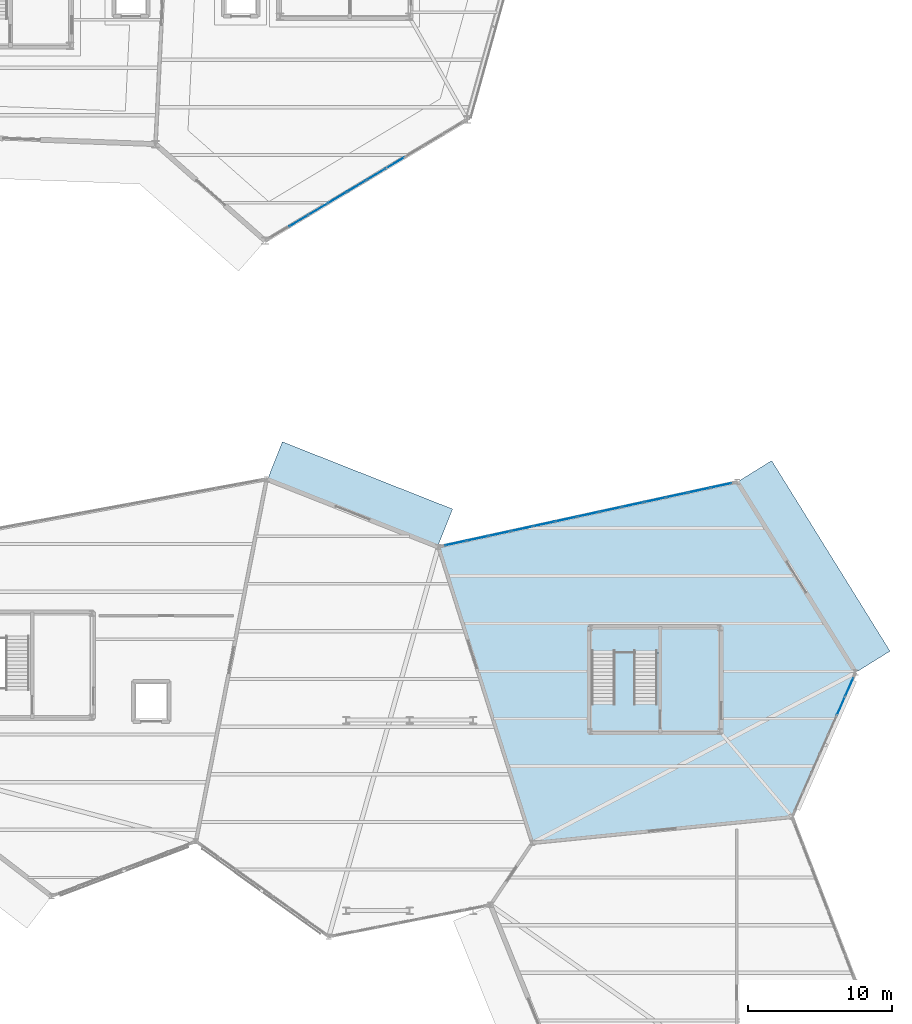
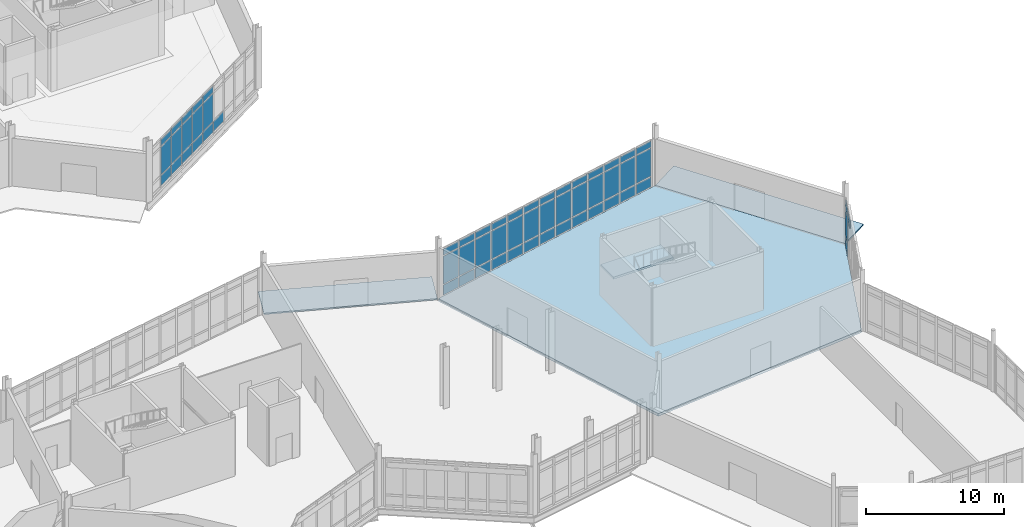
# One storey, part 81 of 113: 59 plates, 4 slabs, 4 elements without a shape of their own.
"""IFC4 building model written with IfcOpenShell, lengths in metres."""

from ifc_helpers import new_model, si_unit, direction, frame, origin, origin_2d, place, context, subcontext, project, spatial, polyline, rectangle, outline, extrude, material, layer, layer_set, type_object, element, aggregate, save


model = new_model("IFC4")

# Units and contexts
model_context = context("Model", 3, precision=1e-05, world=origin(), true_north=direction((0.0, 1.0)))
body_context = subcontext(model_context, "Body", "Model", "MODEL_VIEW")
ifc_project = project(units=[si_unit("LENGTHUNIT", "METRE"), si_unit("AREAUNIT", "SQUARE_METRE"), si_unit("VOLUMEUNIT", "CUBIC_METRE"), si_unit("PLANEANGLEUNIT", "RADIAN"), si_unit("MASSUNIT", "GRAM", prefix="KILO")], contexts=[model_context])

# Site, building, storey
site_placement = place(None, origin())
site = spatial("IfcSite", under=ifc_project, at=site_placement, CompositionType="ELEMENT")
building_placement = place(site_placement, origin())
building = spatial("IfcBuilding", under=site, at=building_placement, Name="Tameran Prism Museum", CompositionType="ELEMENT")
storey_placement = place(building_placement, origin())
storey = spatial("IfcBuildingStorey", under=building, at=storey_placement, Name="L00", CompositionType="ELEMENT", Elevation=0.0)

# Curtain wall, plates
ifc_material_1 = material(Name="Anodised Aluminium 6063-T6 and Cyclone Solar Glass", Category="aluminium")
curtain_wall_type_1 = type_object("IfcCurtainWallType", Name="CW-FAC-1563x422", PredefinedType="USERDEFINED", material=ifc_material_1)
curtain_wall_1_placement = place(storey_placement, origin())
curtain_wall_1 = element("IfcCurtainWall", 1, at=curtain_wall_1_placement, inside=storey, type_object=curtain_wall_type_1, Name="Unitised Curtain Wall CW-022", ObjectType="UNITISED CURTAIN WALL", PredefinedType="USERDEFINED")
ifc_material_2 = material(Name="Low-E Laminated Solar Glass", Category="glass")
ifc_layer_1 = layer(ifc_material_2, 0.028076171875)
ifc_layer_set_1 = layer_set([ifc_layer_1])
plate_type_1 = type_object("IfcPlateType", Name="CW-PNL-G28", PredefinedType="CURTAIN_PANEL", material=ifc_layer_set_1)
plate_1_placement = place(storey_placement, frame((134.510009765625, 69.305908203125, 0.080078125), z_axis=(0.0, 0.0, 1.0), x_axis=(-0.857492925713, -0.514495755426, 0.0)))
plate_1 = element("IfcPlate", 2, at=plate_1_placement, type_object=plate_type_1, Name="CW-022 panel 4.1", PredefinedType="CURTAIN_PANEL", context=body_context, shape_type="SweptSolid", body=[
    extrude(rectangle(XDim=1.482666015625, YDim=0.028076171875, at=origin_2d()), origin(), (0.0, 0.0, 1.0), 0.8798828125),
])
plate_2_placement = place(storey_placement, frame((133.169921875, 68.501953125, 0.080078125), z_axis=(0.0, 0.0, 1.0), x_axis=(-0.857492925713, -0.514495755426, 0.0)))
plate_2 = element("IfcPlate", 3, at=plate_2_placement, type_object=plate_type_1, Name="CW-022 panel 5.1", PredefinedType="CURTAIN_PANEL", context=body_context, shape_type="SweptSolid", body=[
    extrude(rectangle(XDim=1.482666015625, YDim=0.028076171875, at=origin_2d()), origin(), (0.0, 0.0, 1.0), 0.8798828125),
])
plate_3_placement = place(storey_placement, frame((133.169921875, 68.501953125, 1.0400390625), z_axis=(0.0, 0.0, 1.0), x_axis=(-0.857492925713, -0.514495755426, 0.0)))
plate_3 = element("IfcPlate", 4, at=plate_3_placement, type_object=plate_type_1, Name="CW-022 panel 5.2", PredefinedType="CURTAIN_PANEL", context=body_context, shape_type="SweptSolid", body=[
    extrude(rectangle(XDim=1.482666015625, YDim=0.028076171875, at=origin_2d()), origin(), (0.0, 0.0, 1.0), 2.4599609375),
])
plate_4_placement = place(storey_placement, frame((133.169921875, 68.501953125, 3.580078125), z_axis=(0.0, 0.0, 1.0), x_axis=(-0.857492925713, -0.514495755426, 0.0)))
plate_4 = element("IfcPlate", 5, at=plate_4_placement, type_object=plate_type_1, Name="CW-022 panel 5.3", PredefinedType="CURTAIN_PANEL", context=body_context, shape_type="SweptSolid", body=[
    extrude(rectangle(XDim=1.482666015625, YDim=0.028076171875, at=origin_2d()), origin(), (0.0, 0.0, 1.0), 0.56005859375),
])
plate_5_placement = place(storey_placement, frame((131.830078125, 67.697998046875, 0.080078125), z_axis=(0.0, 0.0, 1.0), x_axis=(-0.857492925713, -0.514495755426, 0.0)))
plate_5 = element("IfcPlate", 6, at=plate_5_placement, type_object=plate_type_1, Name="CW-022 panel 6.1", PredefinedType="CURTAIN_PANEL", context=body_context, shape_type="SweptSolid", body=[
    extrude(rectangle(XDim=1.482666015625, YDim=0.028076171875, at=origin_2d()), origin(), (0.0, 0.0, 1.0), 0.8798828125),
])
plate_6_placement = place(storey_placement, frame((131.830078125, 67.697998046875, 1.0400390625), z_axis=(0.0, 0.0, 1.0), x_axis=(-0.857492925713, -0.514495755426, 0.0)))
plate_6 = element("IfcPlate", 7, at=plate_6_placement, type_object=plate_type_1, Name="CW-022 panel 6.2", PredefinedType="CURTAIN_PANEL", context=body_context, shape_type="SweptSolid", body=[
    extrude(rectangle(XDim=1.482666015625, YDim=0.028076171875, at=origin_2d()), origin(), (0.0, 0.0, 1.0), 2.4599609375),
])
plate_7_placement = place(storey_placement, frame((131.830078125, 67.697998046875, 3.580078125), z_axis=(0.0, 0.0, 1.0), x_axis=(-0.857492925713, -0.514495755426, 0.0)))
plate_7 = element("IfcPlate", 8, at=plate_7_placement, type_object=plate_type_1, Name="CW-022 panel 6.3", PredefinedType="CURTAIN_PANEL", context=body_context, shape_type="SweptSolid", body=[
    extrude(rectangle(XDim=1.482666015625, YDim=0.028076171875, at=origin_2d()), origin(), (0.0, 0.0, 1.0), 0.56005859375),
])
plate_8_placement = place(storey_placement, frame((130.489990234375, 66.89404296875, 0.080078125), z_axis=(0.0, 0.0, 1.0), x_axis=(-0.857492925713, -0.514495755426, 0.0)))
plate_8 = element("IfcPlate", 9, at=plate_8_placement, type_object=plate_type_1, Name="CW-022 panel 7.1", PredefinedType="CURTAIN_PANEL", context=body_context, shape_type="SweptSolid", body=[
    extrude(rectangle(XDim=1.482666015625, YDim=0.028076171875, at=origin_2d()), origin(), (0.0, 0.0, 1.0), 0.8798828125),
])
plate_9_placement = place(storey_placement, frame((130.489990234375, 66.89404296875, 1.0400390625), z_axis=(0.0, 0.0, 1.0), x_axis=(-0.857492925713, -0.514495755426, 0.0)))
plate_9 = element("IfcPlate", 10, at=plate_9_placement, type_object=plate_type_1, Name="CW-022 panel 7.2", PredefinedType="CURTAIN_PANEL", context=body_context, shape_type="SweptSolid", body=[
    extrude(rectangle(XDim=1.482666015625, YDim=0.028076171875, at=origin_2d()), origin(), (0.0, 0.0, 1.0), 2.4599609375),
])
plate_10_placement = place(storey_placement, frame((130.489990234375, 66.89404296875, 3.580078125), z_axis=(0.0, 0.0, 1.0), x_axis=(-0.857492925713, -0.514495755426, 0.0)))
plate_10 = element("IfcPlate", 11, at=plate_10_placement, type_object=plate_type_1, Name="CW-022 panel 7.3", PredefinedType="CURTAIN_PANEL", context=body_context, shape_type="SweptSolid", body=[
    extrude(rectangle(XDim=1.482666015625, YDim=0.028076171875, at=origin_2d()), origin(), (0.0, 0.0, 1.0), 0.56005859375),
])
plate_11_placement = place(storey_placement, frame((129.14990234375, 66.090087890625, 0.080078125), z_axis=(0.0, 0.0, 1.0), x_axis=(-0.857492925713, -0.514495755426, 0.0)))
plate_11 = element("IfcPlate", 12, at=plate_11_placement, type_object=plate_type_1, Name="CW-022 panel 8.1", PredefinedType="CURTAIN_PANEL", context=body_context, shape_type="SweptSolid", body=[
    extrude(rectangle(XDim=1.482666015625, YDim=0.028076171875, at=origin_2d()), origin(), (0.0, 0.0, 1.0), 0.8798828125),
])
plate_12_placement = place(storey_placement, frame((129.14990234375, 66.090087890625, 1.0400390625), z_axis=(0.0, 0.0, 1.0), x_axis=(-0.857492925713, -0.514495755426, 0.0)))
plate_12 = element("IfcPlate", 13, at=plate_12_placement, type_object=plate_type_1, Name="CW-022 panel 8.2", PredefinedType="CURTAIN_PANEL", context=body_context, shape_type="SweptSolid", body=[
    extrude(rectangle(XDim=1.482666015625, YDim=0.028076171875, at=origin_2d()), origin(), (0.0, 0.0, 1.0), 2.4599609375),
])
plate_13_placement = place(storey_placement, frame((129.14990234375, 66.090087890625, 3.580078125), z_axis=(0.0, 0.0, 1.0), x_axis=(-0.857492925713, -0.514495755426, 0.0)))
plate_13 = element("IfcPlate", 14, at=plate_13_placement, type_object=plate_type_1, Name="CW-022 panel 8.3", PredefinedType="CURTAIN_PANEL", context=body_context, shape_type="SweptSolid", body=[
    extrude(rectangle(XDim=1.482666015625, YDim=0.028076171875, at=origin_2d()), origin(), (0.0, 0.0, 1.0), 0.56005859375),
])
plate_14_placement = place(storey_placement, frame((127.81005859375, 65.285888671875, 0.080078125), z_axis=(0.0, 0.0, 1.0), x_axis=(-0.857492925713, -0.514495755426, 0.0)))
plate_14 = element("IfcPlate", 15, at=plate_14_placement, type_object=plate_type_1, Name="CW-022 panel 9.1", PredefinedType="CURTAIN_PANEL", context=body_context, shape_type="SweptSolid", body=[
    extrude(rectangle(XDim=1.482666015625, YDim=0.028076171875, at=origin_2d()), origin(), (0.0, 0.0, 1.0), 0.8798828125),
])
plate_15_placement = place(storey_placement, frame((127.81005859375, 65.285888671875, 1.0400390625), z_axis=(0.0, 0.0, 1.0), x_axis=(-0.857492925713, -0.514495755426, 0.0)))
plate_15 = element("IfcPlate", 16, at=plate_15_placement, type_object=plate_type_1, Name="CW-022 panel 9.2", PredefinedType="CURTAIN_PANEL", context=body_context, shape_type="SweptSolid", body=[
    extrude(rectangle(XDim=1.482666015625, YDim=0.028076171875, at=origin_2d()), origin(), (0.0, 0.0, 1.0), 2.4599609375),
])
plate_16_placement = place(storey_placement, frame((127.81005859375, 65.285888671875, 3.580078125), z_axis=(0.0, 0.0, 1.0), x_axis=(-0.857492925713, -0.514495755426, 0.0)))
plate_16 = element("IfcPlate", 17, at=plate_16_placement, type_object=plate_type_1, Name="CW-022 panel 9.3", PredefinedType="CURTAIN_PANEL", context=body_context, shape_type="SweptSolid", body=[
    extrude(rectangle(XDim=1.482666015625, YDim=0.028076171875, at=origin_2d()), origin(), (0.0, 0.0, 1.0), 0.56005859375),
])
aggregate(curtain_wall_1, [plate_1, plate_2, plate_3, plate_4, plate_5, plate_6, plate_7, plate_8, plate_9, plate_10, plate_11, plate_12, plate_13, plate_14, plate_15, plate_16])

ifc_material_3 = material(Name="Anodised Aluminium 6063-T6 and Cyclone Solar Glass", Category="aluminium")
curtain_wall_type_2 = type_object("IfcCurtainWallType", Name="CW-FAC-1016x422", PredefinedType="USERDEFINED", material=ifc_material_3)
curtain_wall_2_placement = place(storey_placement, origin())
curtain_wall_2 = element("IfcCurtainWall", 18, at=curtain_wall_2_placement, inside=storey, type_object=curtain_wall_type_2, Name="Unitised Curtain Wall CW-053", ObjectType="UNITISED CURTAIN WALL", PredefinedType="USERDEFINED")
plate_17_placement = place(storey_placement, frame((165.958984375, 32.998291015625, 0.0751953125), z_axis=(0.0, 0.0, 1.0), x_axis=(-0.402722131488, -0.915322284668, 0.0)))
plate_17 = element("IfcPlate", 19, at=plate_17_placement, type_object=plate_type_1, Name="CW-053 panel 1.1", PredefinedType="CURTAIN_PANEL", context=body_context, shape_type="SweptSolid", body=[
    extrude(rectangle(XDim=1.33984375, YDim=0.028076171875, at=origin_2d()), origin(), (0.0, 0.0, 1.0), 0.887451171875),
])
plate_18_placement = place(storey_placement, frame((165.958984375, 32.998291015625, 1.03759765625), z_axis=(0.0, 0.0, 1.0), x_axis=(-0.402722131488, -0.915322284668, 0.0)))
plate_18 = element("IfcPlate", 20, at=plate_18_placement, type_object=plate_type_1, Name="CW-053 panel 1.2", PredefinedType="CURTAIN_PANEL", context=body_context, shape_type="SweptSolid", body=[
    extrude(rectangle(XDim=1.33984375, YDim=0.028076171875, at=origin_2d()), origin(), (0.0, 0.0, 1.0), 2.465087890625),
])
plate_19_placement = place(storey_placement, frame((165.958984375, 32.998291015625, 3.57763671875), z_axis=(0.0, 0.0, 1.0), x_axis=(-0.402722131488, -0.915322284668, 0.0)))
plate_19 = element("IfcPlate", 21, at=plate_19_placement, type_object=plate_type_1, Name="CW-053 panel 1.3", PredefinedType="CURTAIN_PANEL", context=body_context, shape_type="SweptSolid", body=[
    extrude(rectangle(XDim=1.33984375, YDim=0.028076171875, at=origin_2d()), origin(), (0.0, 0.0, 1.0), 0.5673828125),
])
plate_20_placement = place(storey_placement, frame((165.3818359375, 31.68603515625, 3.57763671875), z_axis=(0.0, 0.0, 1.0), x_axis=(-0.402722131488, -0.915322284668, 0.0)))
plate_20 = element("IfcPlate", 22, at=plate_20_placement, type_object=plate_type_1, Name="CW-053 panel 2.3", PredefinedType="CURTAIN_PANEL", context=body_context, shape_type="SweptSolid", body=[
    extrude(rectangle(XDim=1.377197265625, YDim=0.028076171875, at=origin_2d()), origin(), (0.0, 0.0, 1.0), 0.5673828125),
])
aggregate(curtain_wall_2, [plate_17, plate_18, plate_19, plate_20])

ifc_material_4 = material(Name="Anodised Aluminium 6063-T6 and Cyclone Solar Glass", Category="aluminium")
curtain_wall_type_3 = type_object("IfcCurtainWallType", Name="CW-FAC-2042x422", PredefinedType="USERDEFINED", material=ifc_material_4)
curtain_wall_3_placement = place(storey_placement, origin())
curtain_wall_3 = element("IfcCurtainWall", 23, at=curtain_wall_3_placement, inside=storey, type_object=curtain_wall_type_3, Name="Unitised Curtain Wall CW-054", ObjectType="UNITISED CURTAIN WALL", PredefinedType="USERDEFINED")
ifc_material_5 = material(Name="Cyclone Laminated Solar Glass", Category="glass")
ifc_layer_2 = layer(ifc_material_5, 0.031982421875)
ifc_layer_set_2 = layer_set([ifc_layer_2])
plate_type_2 = type_object("IfcPlateType", Name="CW-PNL-G32", PredefinedType="CURTAIN_PANEL", material=ifc_layer_set_2)
plate_21_placement = place(storey_placement, frame((138.688232421875, 42.958251953125, 0.080078125), z_axis=(0.0, 0.0, 1.0), x_axis=(0.977171060676, 0.212454037801, 0.0)))
plate_21 = element("IfcPlate", 24, at=plate_21_placement, type_object=plate_type_2, Name="CW-054 panel 1.1", PredefinedType="CURTAIN_PANEL", context=body_context, shape_type="SweptSolid", body=[
    extrude(rectangle(XDim=1.450927734375, YDim=0.031982421875, at=origin_2d()), origin(), (0.0, 0.0, 1.0), 0.8798828125),
])
plate_22_placement = place(storey_placement, frame((138.688232421875, 42.958251953125, 1.0400390625), z_axis=(0.0, 0.0, 1.0), x_axis=(0.977171060676, 0.212454037801, 0.0)))
plate_22 = element("IfcPlate", 25, at=plate_22_placement, type_object=plate_type_2, Name="CW-054 panel 1.2", PredefinedType="CURTAIN_PANEL", context=body_context, shape_type="SweptSolid", body=[
    extrude(rectangle(XDim=1.450927734375, YDim=0.031982421875, at=origin_2d()), origin(), (0.0, 0.0, 1.0), 2.4599609375),
])
plate_23_placement = place(storey_placement, frame((138.688232421875, 42.958251953125, 3.580078125), z_axis=(0.0, 0.0, 1.0), x_axis=(0.977171060676, 0.212454037801, 0.0)))
plate_23 = element("IfcPlate", 26, at=plate_23_placement, type_object=plate_type_2, Name="CW-054 panel 1.3", PredefinedType="CURTAIN_PANEL", context=body_context, shape_type="SweptSolid", body=[
    extrude(rectangle(XDim=1.450927734375, YDim=0.031982421875, at=origin_2d()), origin(), (0.0, 0.0, 1.0), 0.56005859375),
])
plate_24_placement = place(storey_placement, frame((140.20361328125, 43.28759765625, 0.080078125), z_axis=(0.0, 0.0, 1.0), x_axis=(0.977171060676, 0.212454037801, 0.0)))
plate_24 = element("IfcPlate", 27, at=plate_24_placement, type_object=plate_type_2, Name="CW-054 panel 2.1", PredefinedType="CURTAIN_PANEL", context=body_context, shape_type="SweptSolid", body=[
    extrude(rectangle(XDim=1.490966796875, YDim=0.031982421875, at=origin_2d()), origin(), (0.0, 0.0, 1.0), 0.8798828125),
])
plate_25_placement = place(storey_placement, frame((140.20361328125, 43.28759765625, 1.0400390625), z_axis=(0.0, 0.0, 1.0), x_axis=(0.977171060676, 0.212454037801, 0.0)))
plate_25 = element("IfcPlate", 28, at=plate_25_placement, type_object=plate_type_2, Name="CW-054 panel 2.2", PredefinedType="CURTAIN_PANEL", context=body_context, shape_type="SweptSolid", body=[
    extrude(rectangle(XDim=1.490966796875, YDim=0.031982421875, at=origin_2d()), origin(), (0.0, 0.0, 1.0), 2.4599609375),
])
plate_26_placement = place(storey_placement, frame((140.20361328125, 43.28759765625, 3.580078125), z_axis=(0.0, 0.0, 1.0), x_axis=(0.977171060676, 0.212454037801, 0.0)))
plate_26 = element("IfcPlate", 29, at=plate_26_placement, type_object=plate_type_2, Name="CW-054 panel 2.3", PredefinedType="CURTAIN_PANEL", context=body_context, shape_type="SweptSolid", body=[
    extrude(rectangle(XDim=1.490966796875, YDim=0.031982421875, at=origin_2d()), origin(), (0.0, 0.0, 1.0), 0.56005859375),
])
plate_27_placement = place(storey_placement, frame((141.73876953125, 43.621337890625, 0.080078125), z_axis=(0.0, 0.0, 1.0), x_axis=(0.977171060676, 0.212454037801, 0.0)))
plate_27 = element("IfcPlate", 30, at=plate_27_placement, type_object=plate_type_2, Name="CW-054 panel 3.1", PredefinedType="CURTAIN_PANEL", context=body_context, shape_type="SweptSolid", body=[
    extrude(rectangle(XDim=1.490966796875, YDim=0.031982421875, at=origin_2d()), origin(), (0.0, 0.0, 1.0), 0.8798828125),
])
plate_28_placement = place(storey_placement, frame((141.73876953125, 43.621337890625, 1.0400390625), z_axis=(0.0, 0.0, 1.0), x_axis=(0.977171060676, 0.212454037801, 0.0)))
plate_28 = element("IfcPlate", 31, at=plate_28_placement, type_object=plate_type_2, Name="CW-054 panel 3.2", PredefinedType="CURTAIN_PANEL", context=body_context, shape_type="SweptSolid", body=[
    extrude(rectangle(XDim=1.490966796875, YDim=0.031982421875, at=origin_2d()), origin(), (0.0, 0.0, 1.0), 2.4599609375),
])
plate_29_placement = place(storey_placement, frame((141.73876953125, 43.621337890625, 3.580078125), z_axis=(0.0, 0.0, 1.0), x_axis=(0.977171060676, 0.212454037801, 0.0)))
plate_29 = element("IfcPlate", 32, at=plate_29_placement, type_object=plate_type_2, Name="CW-054 panel 3.3", PredefinedType="CURTAIN_PANEL", context=body_context, shape_type="SweptSolid", body=[
    extrude(rectangle(XDim=1.490966796875, YDim=0.031982421875, at=origin_2d()), origin(), (0.0, 0.0, 1.0), 0.56005859375),
])
plate_30_placement = place(storey_placement, frame((143.27392578125, 43.955078125, 0.080078125), z_axis=(0.0, 0.0, 1.0), x_axis=(0.977171060676, 0.212454037801, 0.0)))
plate_30 = element("IfcPlate", 33, at=plate_30_placement, type_object=plate_type_2, Name="CW-054 panel 4.1", PredefinedType="CURTAIN_PANEL", context=body_context, shape_type="SweptSolid", body=[
    extrude(rectangle(XDim=1.490966796875, YDim=0.031982421875, at=origin_2d()), origin(), (0.0, 0.0, 1.0), 0.8798828125),
])
plate_31_placement = place(storey_placement, frame((143.27392578125, 43.955078125, 1.0400390625), z_axis=(0.0, 0.0, 1.0), x_axis=(0.977171060676, 0.212454037801, 0.0)))
plate_31 = element("IfcPlate", 34, at=plate_31_placement, type_object=plate_type_2, Name="CW-054 panel 4.2", PredefinedType="CURTAIN_PANEL", context=body_context, shape_type="SweptSolid", body=[
    extrude(rectangle(XDim=1.490966796875, YDim=0.031982421875, at=origin_2d()), origin(), (0.0, 0.0, 1.0), 2.4599609375),
])
plate_32_placement = place(storey_placement, frame((143.27392578125, 43.955078125, 3.580078125), z_axis=(0.0, 0.0, 1.0), x_axis=(0.977171060676, 0.212454037801, 0.0)))
plate_32 = element("IfcPlate", 35, at=plate_32_placement, type_object=plate_type_2, Name="CW-054 panel 4.3", PredefinedType="CURTAIN_PANEL", context=body_context, shape_type="SweptSolid", body=[
    extrude(rectangle(XDim=1.490966796875, YDim=0.031982421875, at=origin_2d()), origin(), (0.0, 0.0, 1.0), 0.56005859375),
])
plate_33_placement = place(storey_placement, frame((144.80908203125, 44.2890625, 0.080078125), z_axis=(0.0, 0.0, 1.0), x_axis=(0.977171060676, 0.212454037801, 0.0)))
plate_33 = element("IfcPlate", 36, at=plate_33_placement, type_object=plate_type_2, Name="CW-054 panel 5.1", PredefinedType="CURTAIN_PANEL", context=body_context, shape_type="SweptSolid", body=[
    extrude(rectangle(XDim=1.490966796875, YDim=0.031982421875, at=origin_2d()), origin(), (0.0, 0.0, 1.0), 0.8798828125),
])
plate_34_placement = place(storey_placement, frame((144.80908203125, 44.2890625, 1.0400390625), z_axis=(0.0, 0.0, 1.0), x_axis=(0.977171060676, 0.212454037801, 0.0)))
plate_34 = element("IfcPlate", 37, at=plate_34_placement, type_object=plate_type_2, Name="CW-054 panel 5.2", PredefinedType="CURTAIN_PANEL", context=body_context, shape_type="SweptSolid", body=[
    extrude(rectangle(XDim=1.490966796875, YDim=0.031982421875, at=origin_2d()), origin(), (0.0, 0.0, 1.0), 2.4599609375),
])
plate_35_placement = place(storey_placement, frame((144.80908203125, 44.2890625, 3.580078125), z_axis=(0.0, 0.0, 1.0), x_axis=(0.977171060676, 0.212454037801, 0.0)))
plate_35 = element("IfcPlate", 38, at=plate_35_placement, type_object=plate_type_2, Name="CW-054 panel 5.3", PredefinedType="CURTAIN_PANEL", context=body_context, shape_type="SweptSolid", body=[
    extrude(rectangle(XDim=1.490966796875, YDim=0.031982421875, at=origin_2d()), origin(), (0.0, 0.0, 1.0), 0.56005859375),
])
plate_36_placement = place(storey_placement, frame((146.34423828125, 44.622802734375, 0.080078125), z_axis=(0.0, 0.0, 1.0), x_axis=(0.977171060676, 0.212454037801, 0.0)))
plate_36 = element("IfcPlate", 39, at=plate_36_placement, type_object=plate_type_2, Name="CW-054 panel 6.1", PredefinedType="CURTAIN_PANEL", context=body_context, shape_type="SweptSolid", body=[
    extrude(rectangle(XDim=1.490966796875, YDim=0.031982421875, at=origin_2d()), origin(), (0.0, 0.0, 1.0), 0.8798828125),
])
plate_37_placement = place(storey_placement, frame((146.34423828125, 44.622802734375, 1.0400390625), z_axis=(0.0, 0.0, 1.0), x_axis=(0.977171060676, 0.212454037801, 0.0)))
plate_37 = element("IfcPlate", 40, at=plate_37_placement, type_object=plate_type_2, Name="CW-054 panel 6.2", PredefinedType="CURTAIN_PANEL", context=body_context, shape_type="SweptSolid", body=[
    extrude(rectangle(XDim=1.490966796875, YDim=0.031982421875, at=origin_2d()), origin(), (0.0, 0.0, 1.0), 2.4599609375),
])
plate_38_placement = place(storey_placement, frame((146.34423828125, 44.622802734375, 3.580078125), z_axis=(0.0, 0.0, 1.0), x_axis=(0.977171060676, 0.212454037801, 0.0)))
plate_38 = element("IfcPlate", 41, at=plate_38_placement, type_object=plate_type_2, Name="CW-054 panel 6.3", PredefinedType="CURTAIN_PANEL", context=body_context, shape_type="SweptSolid", body=[
    extrude(rectangle(XDim=1.490966796875, YDim=0.031982421875, at=origin_2d()), origin(), (0.0, 0.0, 1.0), 0.56005859375),
])
plate_39_placement = place(storey_placement, frame((147.87939453125, 44.95654296875, 0.080078125), z_axis=(0.0, 0.0, 1.0), x_axis=(0.977171060676, 0.212454037801, 0.0)))
plate_39 = element("IfcPlate", 42, at=plate_39_placement, type_object=plate_type_2, Name="CW-054 panel 7.1", PredefinedType="CURTAIN_PANEL", context=body_context, shape_type="SweptSolid", body=[
    extrude(rectangle(XDim=1.490966796875, YDim=0.031982421875, at=origin_2d()), origin(), (0.0, 0.0, 1.0), 0.8798828125),
])
plate_40_placement = place(storey_placement, frame((147.87939453125, 44.95654296875, 1.0400390625), z_axis=(0.0, 0.0, 1.0), x_axis=(0.977171060676, 0.212454037801, 0.0)))
plate_40 = element("IfcPlate", 43, at=plate_40_placement, type_object=plate_type_2, Name="CW-054 panel 7.2", PredefinedType="CURTAIN_PANEL", context=body_context, shape_type="SweptSolid", body=[
    extrude(rectangle(XDim=1.490966796875, YDim=0.031982421875, at=origin_2d()), origin(), (0.0, 0.0, 1.0), 2.4599609375),
])
plate_41_placement = place(storey_placement, frame((147.87939453125, 44.95654296875, 3.580078125), z_axis=(0.0, 0.0, 1.0), x_axis=(0.977171060676, 0.212454037801, 0.0)))
plate_41 = element("IfcPlate", 44, at=plate_41_placement, type_object=plate_type_2, Name="CW-054 panel 7.3", PredefinedType="CURTAIN_PANEL", context=body_context, shape_type="SweptSolid", body=[
    extrude(rectangle(XDim=1.490966796875, YDim=0.031982421875, at=origin_2d()), origin(), (0.0, 0.0, 1.0), 0.56005859375),
])
plate_42_placement = place(storey_placement, frame((149.41455078125, 45.290283203125, 0.080078125), z_axis=(0.0, 0.0, 1.0), x_axis=(0.977171060676, 0.212454037801, 0.0)))
plate_42 = element("IfcPlate", 45, at=plate_42_placement, type_object=plate_type_2, Name="CW-054 panel 8.1", PredefinedType="CURTAIN_PANEL", context=body_context, shape_type="SweptSolid", body=[
    extrude(rectangle(XDim=1.490966796875, YDim=0.031982421875, at=origin_2d()), origin(), (0.0, 0.0, 1.0), 0.8798828125),
])
plate_43_placement = place(storey_placement, frame((149.41455078125, 45.290283203125, 1.0400390625), z_axis=(0.0, 0.0, 1.0), x_axis=(0.977171060676, 0.212454037801, 0.0)))
plate_43 = element("IfcPlate", 46, at=plate_43_placement, type_object=plate_type_2, Name="CW-054 panel 8.2", PredefinedType="CURTAIN_PANEL", context=body_context, shape_type="SweptSolid", body=[
    extrude(rectangle(XDim=1.490966796875, YDim=0.031982421875, at=origin_2d()), origin(), (0.0, 0.0, 1.0), 2.4599609375),
])
plate_44_placement = place(storey_placement, frame((149.41455078125, 45.290283203125, 3.580078125), z_axis=(0.0, 0.0, 1.0), x_axis=(0.977171060676, 0.212454037801, 0.0)))
plate_44 = element("IfcPlate", 47, at=plate_44_placement, type_object=plate_type_2, Name="CW-054 panel 8.3", PredefinedType="CURTAIN_PANEL", context=body_context, shape_type="SweptSolid", body=[
    extrude(rectangle(XDim=1.490966796875, YDim=0.031982421875, at=origin_2d()), origin(), (0.0, 0.0, 1.0), 0.56005859375),
])
plate_45_placement = place(storey_placement, frame((150.94970703125, 45.6240234375, 0.080078125), z_axis=(0.0, 0.0, 1.0), x_axis=(0.977171060676, 0.212454037801, 0.0)))
plate_45 = element("IfcPlate", 48, at=plate_45_placement, type_object=plate_type_2, Name="CW-054 panel 9.1", PredefinedType="CURTAIN_PANEL", context=body_context, shape_type="SweptSolid", body=[
    extrude(rectangle(XDim=1.490966796875, YDim=0.031982421875, at=origin_2d()), origin(), (0.0, 0.0, 1.0), 0.8798828125),
])
plate_46_placement = place(storey_placement, frame((150.94970703125, 45.6240234375, 1.0400390625), z_axis=(0.0, 0.0, 1.0), x_axis=(0.977171060676, 0.212454037801, 0.0)))
plate_46 = element("IfcPlate", 49, at=plate_46_placement, type_object=plate_type_2, Name="CW-054 panel 9.2", PredefinedType="CURTAIN_PANEL", context=body_context, shape_type="SweptSolid", body=[
    extrude(rectangle(XDim=1.490966796875, YDim=0.031982421875, at=origin_2d()), origin(), (0.0, 0.0, 1.0), 2.4599609375),
])
plate_47_placement = place(storey_placement, frame((150.94970703125, 45.6240234375, 3.580078125), z_axis=(0.0, 0.0, 1.0), x_axis=(0.977171060676, 0.212454037801, 0.0)))
plate_47 = element("IfcPlate", 50, at=plate_47_placement, type_object=plate_type_2, Name="CW-054 panel 9.3", PredefinedType="CURTAIN_PANEL", context=body_context, shape_type="SweptSolid", body=[
    extrude(rectangle(XDim=1.490966796875, YDim=0.031982421875, at=origin_2d()), origin(), (0.0, 0.0, 1.0), 0.56005859375),
])
plate_48_placement = place(storey_placement, frame((152.48486328125, 45.957763671875, 0.080078125), z_axis=(0.0, 0.0, 1.0), x_axis=(0.977171060676, 0.212454037801, 0.0)))
plate_48 = element("IfcPlate", 51, at=plate_48_placement, type_object=plate_type_2, Name="CW-054 panel 10.1", PredefinedType="CURTAIN_PANEL", context=body_context, shape_type="SweptSolid", body=[
    extrude(rectangle(XDim=1.490966796875, YDim=0.031982421875, at=origin_2d()), origin(), (0.0, 0.0, 1.0), 0.8798828125),
])
plate_49_placement = place(storey_placement, frame((152.48486328125, 45.957763671875, 1.0400390625), z_axis=(0.0, 0.0, 1.0), x_axis=(0.977171060676, 0.212454037801, 0.0)))
plate_49 = element("IfcPlate", 52, at=plate_49_placement, type_object=plate_type_2, Name="CW-054 panel 10.2", PredefinedType="CURTAIN_PANEL", context=body_context, shape_type="SweptSolid", body=[
    extrude(rectangle(XDim=1.490966796875, YDim=0.031982421875, at=origin_2d()), origin(), (0.0, 0.0, 1.0), 2.4599609375),
])
plate_50_placement = place(storey_placement, frame((152.48486328125, 45.957763671875, 3.580078125), z_axis=(0.0, 0.0, 1.0), x_axis=(0.977171060676, 0.212454037801, 0.0)))
plate_50 = element("IfcPlate", 53, at=plate_50_placement, type_object=plate_type_2, Name="CW-054 panel 10.3", PredefinedType="CURTAIN_PANEL", context=body_context, shape_type="SweptSolid", body=[
    extrude(rectangle(XDim=1.490966796875, YDim=0.031982421875, at=origin_2d()), origin(), (0.0, 0.0, 1.0), 0.56005859375),
])
plate_51_placement = place(storey_placement, frame((154.02001953125, 46.29150390625, 0.080078125), z_axis=(0.0, 0.0, 1.0), x_axis=(0.977171060676, 0.212454037801, 0.0)))
plate_51 = element("IfcPlate", 54, at=plate_51_placement, type_object=plate_type_2, Name="CW-054 panel 11.1", PredefinedType="CURTAIN_PANEL", context=body_context, shape_type="SweptSolid", body=[
    extrude(rectangle(XDim=1.490966796875, YDim=0.031982421875, at=origin_2d()), origin(), (0.0, 0.0, 1.0), 0.8798828125),
])
plate_52_placement = place(storey_placement, frame((154.02001953125, 46.29150390625, 1.0400390625), z_axis=(0.0, 0.0, 1.0), x_axis=(0.977171060676, 0.212454037801, 0.0)))
plate_52 = element("IfcPlate", 55, at=plate_52_placement, type_object=plate_type_2, Name="CW-054 panel 11.2", PredefinedType="CURTAIN_PANEL", context=body_context, shape_type="SweptSolid", body=[
    extrude(rectangle(XDim=1.490966796875, YDim=0.031982421875, at=origin_2d()), origin(), (0.0, 0.0, 1.0), 2.4599609375),
])
plate_53_placement = place(storey_placement, frame((154.02001953125, 46.29150390625, 3.580078125), z_axis=(0.0, 0.0, 1.0), x_axis=(0.977171060676, 0.212454037801, 0.0)))
plate_53 = element("IfcPlate", 56, at=plate_53_placement, type_object=plate_type_2, Name="CW-054 panel 11.3", PredefinedType="CURTAIN_PANEL", context=body_context, shape_type="SweptSolid", body=[
    extrude(rectangle(XDim=1.490966796875, YDim=0.031982421875, at=origin_2d()), origin(), (0.0, 0.0, 1.0), 0.56005859375),
])
plate_54_placement = place(storey_placement, frame((155.55517578125, 46.625244140625, 0.080078125), z_axis=(0.0, 0.0, 1.0), x_axis=(0.977171060676, 0.212454037801, 0.0)))
plate_54 = element("IfcPlate", 57, at=plate_54_placement, type_object=plate_type_2, Name="CW-054 panel 12.1", PredefinedType="CURTAIN_PANEL", context=body_context, shape_type="SweptSolid", body=[
    extrude(rectangle(XDim=1.490966796875, YDim=0.031982421875, at=origin_2d()), origin(), (0.0, 0.0, 1.0), 0.8798828125),
])
plate_55_placement = place(storey_placement, frame((155.55517578125, 46.625244140625, 1.0400390625), z_axis=(0.0, 0.0, 1.0), x_axis=(0.977171060676, 0.212454037801, 0.0)))
plate_55 = element("IfcPlate", 58, at=plate_55_placement, type_object=plate_type_2, Name="CW-054 panel 12.2", PredefinedType="CURTAIN_PANEL", context=body_context, shape_type="SweptSolid", body=[
    extrude(rectangle(XDim=1.490966796875, YDim=0.031982421875, at=origin_2d()), origin(), (0.0, 0.0, 1.0), 2.4599609375),
])
plate_56_placement = place(storey_placement, frame((155.55517578125, 46.625244140625, 3.580078125), z_axis=(0.0, 0.0, 1.0), x_axis=(0.977171060676, 0.212454037801, 0.0)))
plate_56 = element("IfcPlate", 59, at=plate_56_placement, type_object=plate_type_2, Name="CW-054 panel 12.3", PredefinedType="CURTAIN_PANEL", context=body_context, shape_type="SweptSolid", body=[
    extrude(rectangle(XDim=1.490966796875, YDim=0.031982421875, at=origin_2d()), origin(), (0.0, 0.0, 1.0), 0.56005859375),
])
plate_57_placement = place(storey_placement, frame((157.07080078125, 46.954833984375, 0.080078125), z_axis=(0.0, 0.0, 1.0), x_axis=(0.977171060676, 0.212454037801, 0.0)))
plate_57 = element("IfcPlate", 60, at=plate_57_placement, type_object=plate_type_2, Name="CW-054 panel 13.1", PredefinedType="CURTAIN_PANEL", context=body_context, shape_type="SweptSolid", body=[
    extrude(rectangle(XDim=1.450927734375, YDim=0.031982421875, at=origin_2d()), origin(), (0.0, 0.0, 1.0), 0.8798828125),
])
plate_58_placement = place(storey_placement, frame((157.07080078125, 46.954833984375, 1.0400390625), z_axis=(0.0, 0.0, 1.0), x_axis=(0.977171060676, 0.212454037801, 0.0)))
plate_58 = element("IfcPlate", 61, at=plate_58_placement, type_object=plate_type_2, Name="CW-054 panel 13.2", PredefinedType="CURTAIN_PANEL", context=body_context, shape_type="SweptSolid", body=[
    extrude(rectangle(XDim=1.450927734375, YDim=0.031982421875, at=origin_2d()), origin(), (0.0, 0.0, 1.0), 2.4599609375),
])
plate_59_placement = place(storey_placement, frame((157.07080078125, 46.954833984375, 3.580078125), z_axis=(0.0, 0.0, 1.0), x_axis=(0.977171060676, 0.212454037801, 0.0)))
plate_59 = element("IfcPlate", 62, at=plate_59_placement, type_object=plate_type_2, Name="CW-054 panel 13.3", PredefinedType="CURTAIN_PANEL", context=body_context, shape_type="SweptSolid", body=[
    extrude(rectangle(XDim=1.450927734375, YDim=0.031982421875, at=origin_2d()), origin(), (0.0, 0.0, 1.0), 0.56005859375),
])
aggregate(curtain_wall_3, [plate_21, plate_22, plate_23, plate_24, plate_25, plate_26, plate_27, plate_28, plate_29, plate_30, plate_31, plate_32, plate_33, plate_34, plate_35, plate_36, plate_37, plate_38, plate_39, plate_40, plate_41, plate_42, plate_43, plate_44, plate_45, plate_46, plate_47, plate_48, plate_49, plate_50, plate_51, plate_52, plate_53, plate_54, plate_55, plate_56, plate_57, plate_58, plate_59])

# Slab
ifc_material_6 = material(Name="Concrete N40 (40 MPa)", Category="concrete")
ifc_layer_3 = layer(ifc_material_6, 0.239990234375)
ifc_layer_set_3 = layer_set([ifc_layer_3])
slab_type_1 = type_object("IfcSlabType", Name="SL-FLR-240", PredefinedType="FLOOR", material=ifc_layer_set_3)
slab_1_placement = place(storey_placement, frame((0.0, 0.0, -0.239990234375)))
element("IfcSlab", 63, at=slab_1_placement, inside=storey, type_object=slab_type_1, Name="Floor Slab FS-P19-L00", PredefinedType="FLOOR", context=body_context, shape_type="SweptSolid", body=[
    extrude(outline(polyline([(144.0, 22.199951171875), (162.0, 24.0), (166.39990234375, 34.0), (158.199951171875, 47.199951171875), (137.5, 42.699951171875), (144.0, 22.199951171875)])), origin(), (0.0, 0.0, 1.0), 0.239990234375),
])

# Stair, slab
ifc_material_7 = material(Name="Concrete N40 (40 MPa)", Category="concrete")
stair_type = type_object("IfcStairType", Name="ST-CORE-54", PredefinedType="HALF_TURN_STAIR", material=ifc_material_7)
stair_placement = place(storey_placement, origin())
stair = element("IfcStair", 64, at=stair_placement, inside=storey, type_object=stair_type, Name="Fire-Isolated Stair ST-13-L00", PredefinedType="HALF_TURN_STAIR")
ifc_material_8 = material(Name="Concrete N40 (40 MPa)", Category="concrete")
ifc_layer_4 = layer(ifc_material_8, 0.18505859375)
ifc_layer_set_4 = layer_set([ifc_layer_4])
slab_type_2 = type_object("IfcSlabType", Name="SL-LND-185", PredefinedType="LANDING", material=ifc_layer_set_4)
slab_2_placement = place(storey_placement, frame((0.0, 0.0, 2.514892578125)))
slab_2 = element("IfcSlab", 65, at=slab_2_placement, type_object=slab_type_2, Name="ST-13-L00 landing 1", PredefinedType="LANDING", context=body_context, shape_type="SweptSolid", body=[
    extrude(outline(polyline([(147.8798828125, 35.35009765625), (152.8701171875, 35.35009765625), (152.8701171875, 37.219970703125), (147.8798828125, 37.219970703125), (147.8798828125, 35.35009765625)])), origin(), (0.0, 0.0, 1.0), 0.18505859375),
])
aggregate(stair, [slab_2])

# Slabs
ifc_material_9 = material(Name="Concrete N32 (32 MPa)", Category="concrete")
ifc_layer_5 = layer(ifc_material_9, 0.1201171875)
ifc_layer_set_5 = layer_set([ifc_layer_5])
slab_type_3 = type_object("IfcSlabType", Name="SL-PAV-120", PredefinedType="USERDEFINED", material=ifc_layer_set_5)
slab_3_placement = place(storey_placement, frame((0.0, 0.0, -0.1201171875)))
element("IfcSlab", 66, at=slab_3_placement, inside=storey, type_object=slab_type_3, Name="Exterior Forecourt Paving Slab AP-10", ObjectType="PAVING", PredefinedType="USERDEFINED", context=body_context, shape_type="SweptSolid", body=[
    extrude(outline(polyline([(160.577880859375, 48.677978515625), (168.778076171875, 35.47802734375), (166.39990234375, 34.0), (158.199951171875, 47.199951171875), (160.577880859375, 48.677978515625)])), origin(), (0.0, 0.0, 1.0), 0.1201171875),
])
slab_4_placement = place(storey_placement, frame((0.0, 0.0, -0.1201171875)))
element("IfcSlab", 67, at=slab_4_placement, inside=storey, type_object=slab_type_3, Name="Exterior Forecourt Paving Slab AP-11", ObjectType="PAVING", PredefinedType="USERDEFINED", context=body_context, shape_type="SweptSolid", body=[
    extrude(outline(polyline([(126.68603515625, 49.98193359375), (138.472900390625, 45.325927734375), (137.444091796875, 42.721923828125), (125.656982421875, 47.3779296875), (126.68603515625, 49.98193359375)])), origin(), (0.0, 0.0, 1.0), 0.1201171875),
])

save(model, "model.ifc")
